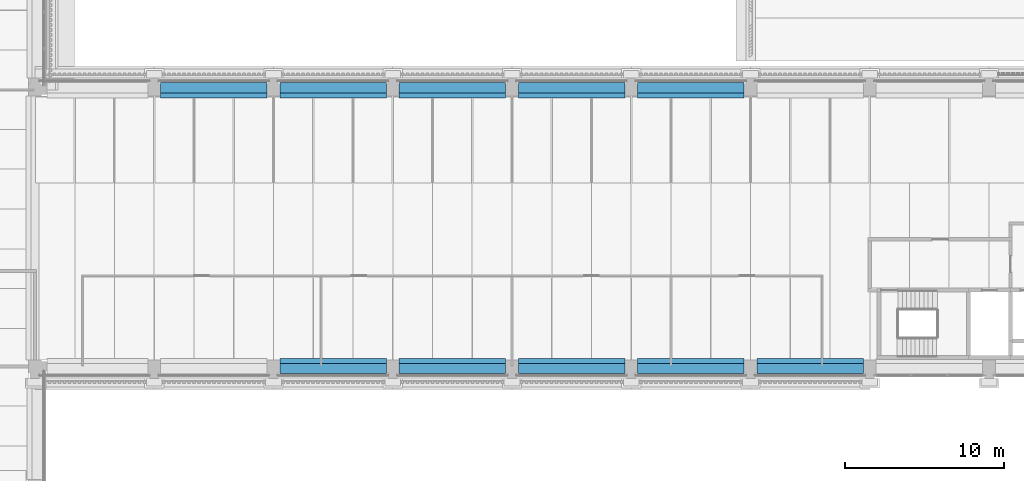
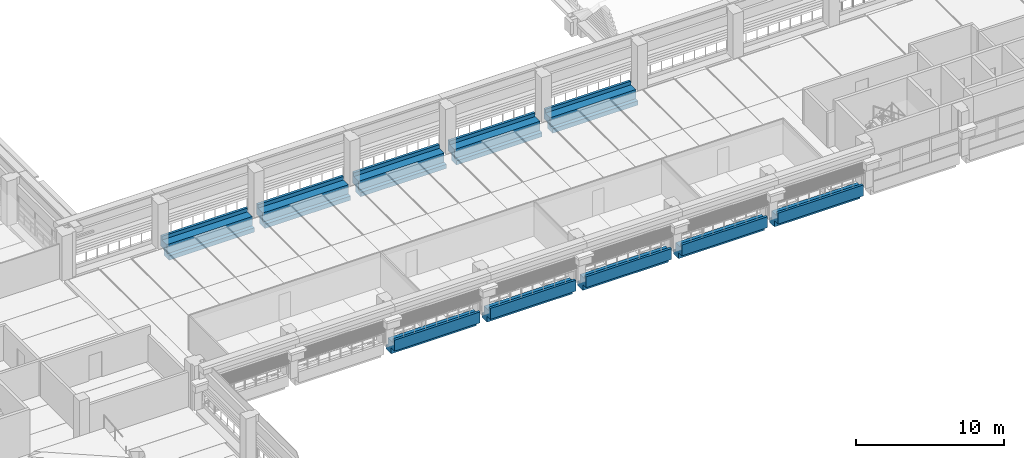
# One storey, part 6 of 71: 10 beams.
"""IFC4 building model written with IfcOpenShell, lengths in metres."""

import ifcopenshell
import ifcopenshell.guid

model = None  # the IFC model being written
_history = None  # IfcOwnerHistory: only IFC2X3 demands one
_inside = {}  # id of a spatial element -> (the spatial element, [elements in it])
_under = {}  # id of a project, library or spatial element -> (it, [spatial elements below it])
_declared = {}  # id of a project -> (the project, [libraries it declares])
_typed = {}  # id of a type object -> (the type object, [elements of that type])
_made_of = {}  # id of a material, layer set ... -> (it, [elements and type objects made of it])


def new_model(schema):
    """Start an empty IFC model of exactly this schema.

    Asked for "IFC4X3", IfcOpenShell would pick the latest addendum, in which some entities
    have other attributes; the version numbers below select the first issue.
    IFC2X3 requires an IfcOwnerHistory on every rooted entity: one is made here for all.
    """
    global model, _history
    if schema == "IFC4X3":
        model = ifcopenshell.file(schema_version=(4, 3, 0, 0))
    else:
        model = ifcopenshell.file(schema=schema)
    _inside.clear()
    _under.clear()
    _declared.clear()
    _typed.clear()
    _made_of.clear()
    _history = None
    if model.schema == "IFC2X3":
        org = make("IfcOrganization", Name="unknown")
        user = make(
            "IfcPersonAndOrganization",
            ThePerson=make("IfcPerson", FamilyName="unknown"),
            TheOrganization=org,
        )
        app = make(
            "IfcApplication",
            ApplicationDeveloper=org,
            Version="unknown",
            ApplicationFullName="unknown",
            ApplicationIdentifier="unknown",
        )
        _history = make(
            "IfcOwnerHistory",
            OwningUser=user,
            OwningApplication=app,
            ChangeAction="ADDED",
            CreationDate=0,
        )
    return model


def make(cls, **values):
    """One entity of the class cls with the attributes given. An attribute that is None is left unset."""
    return model.create_entity(
        cls, **{name: value for name, value in values.items() if value is not None}
    )


def rooted(cls, **values):
    """An entity with a GlobalId (a new one), such as an element, a storey or a relation."""
    return make(cls, GlobalId=ifcopenshell.guid.new(), OwnerHistory=_history, **values)


def si_unit(unit_type, name, prefix=None):
    """IfcSIUnit, for example si_unit("LENGTHUNIT", "METRE", prefix="MILLI")."""
    return make("IfcSIUnit", UnitType=unit_type, Prefix=prefix, Name=name)


def assignment(units):
    """IfcUnitAssignment: the units of a project."""
    return None if units is None else make("IfcUnitAssignment", Units=units)


def point(xyz):
    """IfcCartesianPoint."""
    return None if xyz is None else make("IfcCartesianPoint", Coordinates=xyz)


def direction(xyz):
    """IfcDirection."""
    return None if xyz is None else make("IfcDirection", DirectionRatios=xyz)


def frame(location, z_axis=None, x_axis=None):
    """IfcAxis2Placement3D, a coordinate frame: its origin and axes. An axis left out is left unset."""
    return make(
        "IfcAxis2Placement3D",
        Location=point(location),
        Axis=direction(z_axis),
        RefDirection=direction(x_axis),
    )


def origin():
    """The frame at (0, 0, 0) with its axes left unset."""
    return frame((0.0, 0.0, 0.0))


def place(relative_to, where):
    """IfcLocalPlacement: puts the frame where relative to a parent placement (None: the world)."""
    return make(
        "IfcLocalPlacement", PlacementRelTo=relative_to, RelativePlacement=where
    )


def context(
    kind, dimensions, precision=None, world=None, true_north=None, identifier=None
):
    """IfcGeometricRepresentationContext, for example the 3D "Model" context."""
    return make(
        "IfcGeometricRepresentationContext",
        ContextIdentifier=identifier,
        ContextType=kind,
        CoordinateSpaceDimension=dimensions,
        Precision=precision,
        WorldCoordinateSystem=world,
        TrueNorth=true_north,
    )


def subcontext(parent, identifier, kind, view, scale=None):
    """IfcGeometricRepresentationSubContext, for example "Body" below "Model"."""
    return make(
        "IfcGeometricRepresentationSubContext",
        ContextIdentifier=identifier,
        ContextType=kind,
        ParentContext=parent,
        TargetScale=scale,
        TargetView=view,
    )


def project(units=None, contexts=None):
    """IfcProject with its units and contexts."""
    return rooted(
        "IfcProject",
        Name="project",
        RepresentationContexts=contexts,
        UnitsInContext=assignment(units),
    )


def spatial(cls, under=None, at=None, **own):
    """A site, building, storey or space (cls), placed at a placement, below another one or the project."""
    s = rooted(cls, ObjectPlacement=at, **own)
    if under is not None:
        _under.setdefault(under.id(), (under, []))[1].append(s)
    return s


def polyline(points):
    """IfcPolyline through the points."""
    return make("IfcPolyline", Points=[point(p) for p in points])


def outline(outer, holes=None, kind="AREA"):
    """IfcArbitraryClosedProfileDef: a profile drawn as a closed curve; with holes, ...WithVoids."""
    if holes is None:
        return make("IfcArbitraryClosedProfileDef", ProfileType=kind, OuterCurve=outer)
    return make(
        "IfcArbitraryProfileDefWithVoids",
        ProfileType=kind,
        OuterCurve=outer,
        InnerCurves=holes,
    )


def extrude(swept, where, along, depth):
    """IfcExtrudedAreaSolid: the profile swept, set in the frame where, extruded along a direction by depth."""
    return make(
        "IfcExtrudedAreaSolid",
        SweptArea=swept,
        Position=where,
        ExtrudedDirection=direction(along),
        Depth=depth,
    )


def shape(context_of_items, identifier, shape_type, items):
    """IfcShapeRepresentation: the items that make up one representation, for example the "Body"."""
    return make(
        "IfcShapeRepresentation",
        ContextOfItems=context_of_items,
        RepresentationIdentifier=identifier,
        RepresentationType=shape_type,
        Items=items,
    )


def material(Name=None, Category=None):
    """IfcMaterial."""
    return make("IfcMaterial", Name=Name, Category=Category)


def material_profile(
    of_material, cross_section, Name=None, Category=None, Priority=None
):
    """IfcMaterialProfile: a cross section and its material."""
    return make(
        "IfcMaterialProfile",
        Name=Name,
        Material=of_material,
        Profile=cross_section,
        Priority=Priority,
        Category=Category,
    )


def profile_set(profiles, Name=None, composite=None):
    """IfcMaterialProfileSet."""
    return make(
        "IfcMaterialProfileSet",
        Name=Name,
        MaterialProfiles=profiles,
        CompositeProfile=composite,
    )


def made_of(thing, what):
    """Note that an element or type object is made of a material, layer set ...; save() writes the relation."""
    if what is not None:
        _made_of.setdefault(what.id(), (what, []))[1].append(thing)
    return thing


def type_object(cls, material=None, **own):
    """A type object (cls), such as IfcWallType, which elements share."""
    return made_of(rooted(cls, **own), material)


def element(
    cls,
    number,
    at=None,
    inside=None,
    cuts=None,
    type_object=None,
    material=None,
    context=None,
    identifier="Body",
    shape_type=None,
    held_by="IfcProductDefinitionShape",
    body=None,
    shapes=None,
    **own,
):
    """One element of the class cls, such as IfcWall. Its Tag is "e" and its number.

    at: its placement. inside: the storey or other place that contains it. cuts: it is an
    opening in that element (IfcRelVoidsElement). A single representation is given by context,
    identifier, shape_type and body (its items); several are given by shapes. held_by: the class
    of the entity that holds the representations. save() writes the other relations.
    """
    e = rooted(cls, Tag="e%d" % number, ObjectPlacement=at, **own)
    if body is not None:
        shapes = [shape(context, identifier, shape_type, body)]
    if shapes is not None:
        e.Representation = make(held_by, Representations=shapes)
    if inside is not None:
        _inside.setdefault(inside.id(), (inside, []))[1].append(e)
    if cuts is not None:
        rooted(
            "IfcRelVoidsElement", RelatingBuildingElement=cuts, RelatedOpeningElement=e
        )
    if type_object is not None:
        _typed.setdefault(type_object.id(), (type_object, []))[1].append(e)
    return made_of(e, material)


def aggregate(whole, parts):
    """IfcRelAggregates: a whole, such as a stair, and the parts it consists of."""
    return rooted("IfcRelAggregates", RelatingObject=whole, RelatedObjects=parts)


def save(model, path):
    """Write the relations noted so far, then the file.

    IfcRelAggregates (storeys below a building ...), IfcRelContainedInSpatialStructure (elements
    in a storey), IfcRelDefinesByType, IfcRelAssociatesMaterial and IfcRelDeclares: one each for
    every whole, place, type object, material and project.
    """
    for whole, parts in _under.values():
        aggregate(whole, parts)
    for where, things in _inside.values():
        rooted(
            "IfcRelContainedInSpatialStructure",
            RelatedElements=things,
            RelatingStructure=where,
        )
    for kind, things in _typed.values():
        rooted("IfcRelDefinesByType", RelatedObjects=things, RelatingType=kind)
    for what, things in _made_of.values():
        rooted("IfcRelAssociatesMaterial", RelatedObjects=things, RelatingMaterial=what)
    for by, libraries in _declared.values():
        rooted("IfcRelDeclares", RelatingContext=by, RelatedDefinitions=libraries)
    model.write(path)


model = new_model("IFC4")

# Units and contexts
model_context = context("Model", 3, precision=1e-05, world=origin(), true_north=direction((0.0, 1.0)))
body_context = subcontext(model_context, "Body", "Model", "MODEL_VIEW")
ifc_project = project(units=[si_unit("LENGTHUNIT", "METRE"), si_unit("AREAUNIT", "SQUARE_METRE"), si_unit("VOLUMEUNIT", "CUBIC_METRE"), si_unit("PLANEANGLEUNIT", "RADIAN"), si_unit("MASSUNIT", "GRAM", prefix="KILO")], contexts=[model_context])

# Site, building, storey
site_placement = place(None, origin())
site = spatial("IfcSite", under=ifc_project, at=site_placement, CompositionType="ELEMENT")
building_placement = place(site_placement, origin())
building = spatial("IfcBuilding", under=site, at=building_placement, Name="Cour d'Honneur Mobility Palace", CompositionType="ELEMENT")
storey_placement = place(building_placement, frame((0.0, 0.0, 15.60009765625)))
storey = spatial("IfcBuildingStorey", under=building, at=storey_placement, Name="L04", CompositionType="ELEMENT", Elevation=15.60009765625)

# Beams
ifc_material_1 = material(Name="Concrete C45", Category="concrete")
ifc_material_profile_1 = material_profile(ifc_material_1, outline(polyline([(0.5, -1.10009765625), (0.5, -0.75), (0.199951171875, -0.75), (0.199951171875, 0.0), (-0.199951171875, 0.0), (-0.449951171875, 0.0), (-0.449951171875, 0.300048828125), (-0.64990234375, 0.300048828125), (-0.64990234375, -0.60009765625), (-0.199951171875, -0.60009765625), (-0.199951171875, -1.10009765625), (0.5, -1.10009765625)])), Name="Ledger Beam 400x1100 ledge left 350 facade right")
ifc_profile_set_1 = profile_set([ifc_material_profile_1], Name="Concrete C45")
beam_type_1 = type_object("IfcBeamType", Name="Ledger Beam 400x1100 ledge left 350 facade right", PredefinedType="BEAM", material=ifc_profile_set_1)
for number, where, z_axis, x_axis, name in (
    (1, (32.800048828125, 45.0, 0.0), (1.0, 0.0, 0.0), (0.0, 1.0, 0.0), "Precast beam B2 4-5 L04"),
    (2, (40.300048828125, 45.0, 0.0), (1.0, 0.0, 0.0), (0.0, 1.0, 0.0), "Precast beam B2 5-6 L04"),
    (3, (47.800048828125, 45.0, 0.0), (1.0, 0.0, 0.0), (0.0, 1.0, 0.0), "Precast beam B2 6-7 L04"),
    (4, (55.300048828125, 45.0, 0.0), (1.0, 0.0, 0.0), (0.0, 1.0, 0.0), "Precast beam B2 7-8 L04"),
    (5, (62.800048828125, 45.0, 0.0), (1.0, 0.0, 0.0), (0.0, 1.0, 0.0), "Precast beam B2 8-9 L04"),
):
    element("IfcBeam", number, at=place(storey_placement, frame(where, z_axis=z_axis, x_axis=x_axis)), inside=storey, type_object=beam_type_1, Name=name, PredefinedType="BEAM", context=body_context, shape_type="SweptSolid", body=[
        extrude(outline(polyline([(0.5, -1.10009765625), (0.5, -0.75), (0.199951171875, -0.75), (0.199951171875, 0.0), (-0.199951171875, 0.0), (-0.449951171875, 0.0), (-0.449951171875, 0.300048828125), (-0.64990234375, 0.300048828125), (-0.64990234375, -0.60009765625), (-0.199951171875, -0.60009765625), (-0.199951171875, -1.10009765625), (0.5, -1.10009765625)])), origin(), (0.0, 0.0, 1.0), 6.699951171875),
    ])
ifc_material_2 = material(Name="Concrete C45", Category="concrete")
ifc_material_profile_2 = material_profile(ifc_material_2, outline(polyline([(0.199951171875, -1.10009765625), (0.199951171875, -0.60009765625), (0.64990234375, -0.60009765625), (0.64990234375, 0.300048828125), (0.449951171875, 0.300048828125), (0.449951171875, 0.0), (0.199951171875, 0.0), (-0.199951171875, 0.0), (-0.199951171875, -0.75), (-0.5, -0.75), (-0.5, -1.10009765625), (0.199951171875, -1.10009765625)])), Name="Ledger Beam 400x1100 ledge right 350 facade left")
ifc_profile_set_2 = profile_set([ifc_material_profile_2], Name="Concrete C45")
beam_type_2 = type_object("IfcBeamType", Name="Ledger Beam 400x1100 ledge right 350 facade left", PredefinedType="BEAM", material=ifc_profile_set_2)
for number, where, z_axis, x_axis, name in (
    (6, (25.300048828125, 62.39990234375, 0.0), (1.0, 0.0, 0.0), (0.0, 1.0, 0.0), "Precast beam B4 3-4 L04"),
    (7, (32.800048828125, 62.39990234375, 0.0), (1.0, 0.0, 0.0), (0.0, 1.0, 0.0), "Precast beam B4 4-5 L04"),
    (8, (40.300048828125, 62.39990234375, 0.0), (1.0, 0.0, 0.0), (0.0, 1.0, 0.0), "Precast beam B4 5-6 L04"),
    (9, (47.800048828125, 62.39990234375, 0.0), (1.0, 0.0, 0.0), (0.0, 1.0, 0.0), "Precast beam B4 6-7 L04"),
    (10, (55.300048828125, 62.39990234375, 0.0), (1.0, 0.0, 0.0), (0.0, 1.0, 0.0), "Precast beam B4 7-8 L04"),
):
    element("IfcBeam", number, at=place(storey_placement, frame(where, z_axis=z_axis, x_axis=x_axis)), inside=storey, type_object=beam_type_2, Name=name, PredefinedType="BEAM", context=body_context, shape_type="SweptSolid", body=[
        extrude(outline(polyline([(0.199951171875, -1.10009765625), (0.199951171875, -0.60009765625), (0.64990234375, -0.60009765625), (0.64990234375, 0.300048828125), (0.449951171875, 0.300048828125), (0.449951171875, 0.0), (0.199951171875, 0.0), (-0.199951171875, 0.0), (-0.199951171875, -0.75), (-0.5, -0.75), (-0.5, -1.10009765625), (0.199951171875, -1.10009765625)])), origin(), (0.0, 0.0, 1.0), 6.699951171875),
    ])

save(model, "model.ifc")
